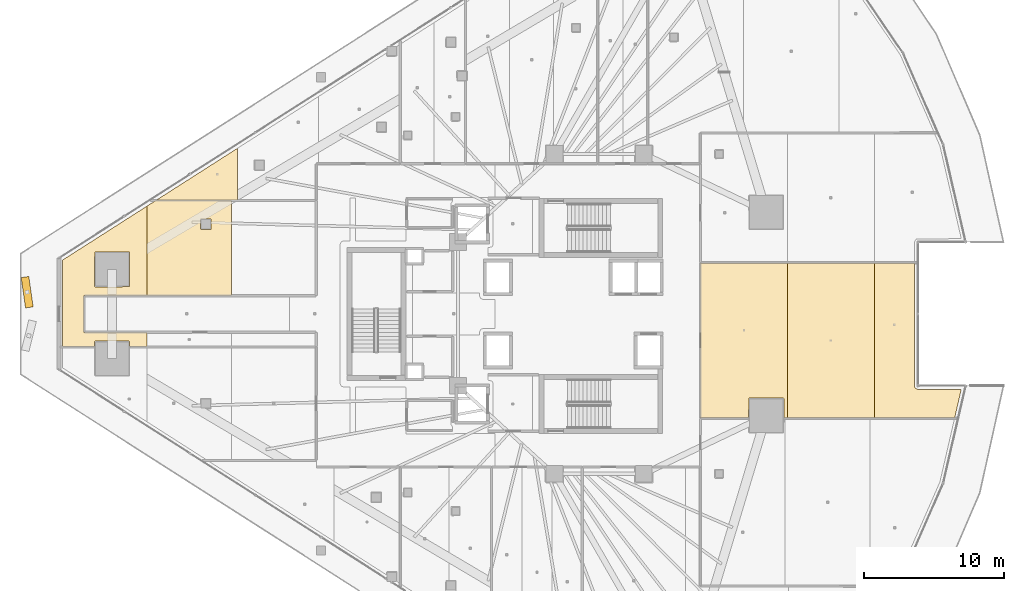
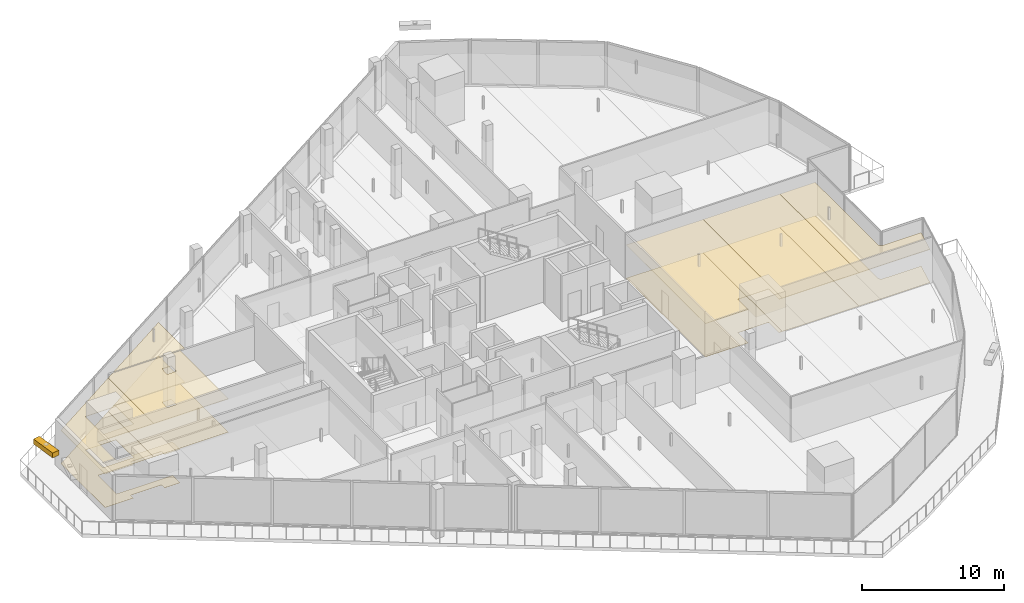
# One storey, part 44 of 46: 12 coverings, 1 shading device.
"""IFC4 building model written with IfcOpenShell, lengths in metres."""

from ifc_helpers import new_model, si_unit, direction, frame, origin, origin_2d, place, context, subcontext, project, spatial, polyline, rectangle, outline, extrude, material, layer, layer_set, type_object, element, save


model = new_model("IFC4")

# Units and contexts
model_context = context("Model", 3, precision=1e-05, world=origin(), true_north=direction((0.0, 1.0)))
body_context = subcontext(model_context, "Body", "Model", "MODEL_VIEW")
ifc_project = project(units=[si_unit("LENGTHUNIT", "METRE"), si_unit("AREAUNIT", "SQUARE_METRE"), si_unit("VOLUMEUNIT", "CUBIC_METRE"), si_unit("PLANEANGLEUNIT", "RADIAN"), si_unit("MASSUNIT", "GRAM", prefix="KILO")], contexts=[model_context])

# Site, building, storey
site_placement = place(None, origin())
site = spatial("IfcSite", under=ifc_project, at=site_placement, CompositionType="ELEMENT")
building_placement = place(site_placement, origin())
building = spatial("IfcBuilding", under=site, at=building_placement, Name="Qorvath Tower", CompositionType="ELEMENT")
storey_placement = place(building_placement, frame((0.0, 0.0, 87.0)))
storey = spatial("IfcBuildingStorey", under=building, at=storey_placement, Name="L19", CompositionType="ELEMENT", Elevation=87.0)

# Coverings
ifc_material_1 = material(Name="Acoustic mineral fibre ceiling tile", Category="gypsum")
ifc_layer_1 = layer(ifc_material_1, 0.030029296875)
ifc_layer_set_1 = layer_set([ifc_layer_1], Name="COV-CEIL")
covering_type_1 = type_object("IfcCoveringType", Name="COV-CEIL", PredefinedType="CEILING", material=ifc_layer_set_1)
covering_1_placement = place(storey_placement, frame((0.0, 0.0, 2.85009765625)))
element("IfcCovering", 1, at=covering_1_placement, inside=storey, type_object=covering_type_1, Name="L19 Suspended Acoustic Ceiling 031", PredefinedType="CEILING", context=body_context, shape_type="SweptSolid", body=[
    extrude(outline(polyline([(-6.9111328125, -7.465087890625), (-6.9111328125, 3.662841796875), (-13.136962890625, 3.662841796875), (-13.136962890625, -7.465087890625), (-9.690185546875, -7.465087890625), (-9.672607421875, -6.033935546875), (-7.230224609375, -6.016357421875), (-7.17041015625, -6.076416015625), (-7.17041015625, -7.465087890625), (-6.9111328125, -7.465087890625)])), origin(), (0.0, 0.0, 1.0), 0.030029296875),
])
covering_2_placement = place(storey_placement, frame((0.0, 0.0, 2.85009765625)))
element("IfcCovering", 2, at=covering_2_placement, inside=storey, type_object=covering_type_1, Name="L19 Suspended Acoustic Ceiling 032", PredefinedType="CEILING", context=body_context, shape_type="SweptSolid", body=[
    extrude(outline(polyline([(-0.685302734375, -7.465087890625), (-0.685302734375, 3.662841796875), (-6.9111328125, 3.662841796875), (-6.9111328125, -7.465087890625), (-0.685302734375, -7.465087890625)])), origin(), (0.0, 0.0, 1.0), 0.030029296875),
])
covering_3_placement = place(storey_placement, frame((0.0, 0.0, 2.85009765625)))
element("IfcCovering", 3, at=covering_3_placement, inside=storey, type_object=covering_type_1, Name="L19 Suspended Acoustic Ceiling 033", PredefinedType="CEILING", context=body_context, shape_type="SweptSolid", body=[
    extrude(outline(polyline([(2.271240234375, -5.336669921875), (2.183837890625, -5.189697265625), (2.17919921875, 3.662841796875), (-0.685302734375, 3.662841796875), (-0.685302734375, -7.465087890625), (5.06298828125, -7.465087890625), (5.540771484375, -5.395751953125), (2.40966796875, -5.39453125), (2.271240234375, -5.336669921875)])), origin(), (0.0, 0.0, 1.0), 0.030029296875),
])
covering_4_placement = place(storey_placement, frame((0.0, 0.0, 2.85009765625)))
element("IfcCovering", 4, at=covering_4_placement, inside=storey, type_object=covering_type_1, Name="L19 Suspended Acoustic Ceiling 042", PredefinedType="CEILING", context=body_context, shape_type="SweptSolid", body=[
    extrude(outline(polyline([(-58.83935546875, 3.8544921875), (-58.83935546875, -2.3466796875), (-56.54296875, -2.3466796875), (-56.54296875, -1.994384765625), (-56.48291015625, -1.9345703125), (-54.0830078125, -1.9345703125), (-54.02294921875, -1.994384765625), (-54.02294921875, -2.3466796875), (-52.780517578125, -2.3466796875), (-52.780517578125, -1.31298828125), (-57.302490234375, -1.31298828125), (-57.307373046875, 1.30810546875), (-52.780517578125, 1.309326171875), (-52.780517578125, 7.726806640625), (-58.83935546875, 3.8544921875)]), holes=[polyline([(-56.54296875, 1.994384765625), (-56.525390625, 4.43701171875), (-54.04052734375, 4.43701171875), (-54.04052734375, 1.9521484375), (-56.48291015625, 1.9345703125), (-56.54296875, 1.994384765625)])]), origin(), (0.0, 0.0, 1.0), 0.030029296875),
])
covering_5_placement = place(storey_placement, frame((0.0, 0.0, 2.85009765625)))
element("IfcCovering", 5, at=covering_5_placement, inside=storey, type_object=covering_type_1, Name="L19 Suspended Acoustic Ceiling 043", PredefinedType="CEILING", context=body_context, shape_type="SweptSolid", body=[
    extrude(outline(polyline([(-52.780517578125, 7.726806640625), (-52.780517578125, 1.309326171875), (-46.7216796875, 1.311279296875), (-46.7216796875, 8.12939453125), (-52.15087890625, 8.12939453125), (-52.780517578125, 7.726806640625)]), holes=[polyline([(-48.96337890625, 6.099609375), (-48.94580078125, 6.7919921875), (-48.2109375, 6.7919921875), (-48.2109375, 6.05712890625), (-48.9033203125, 6.03955078125), (-48.96337890625, 6.099609375)])]), origin(), (0.0, 0.0, 1.0), 0.030029296875),
])
covering_6_placement = place(storey_placement, frame((0.0, 0.0, 2.85009765625)))
element("IfcCovering", 6, at=covering_6_placement, inside=storey, type_object=covering_type_1, Name="L19 Suspended Acoustic Ceiling 045", PredefinedType="CEILING", context=body_context, shape_type="SweptSolid", body=[
    extrude(outline(polyline([(-46.302978515625, 8.147216796875), (-46.302978515625, 11.866943359375), (-52.122802734375, 8.147216796875), (-46.302978515625, 8.147216796875)])), origin(), (0.0, 0.0, 1.0), 0.030029296875),
])
ifc_material_2 = material(Name="Low-VOC modular carpet tile", Category="textile")
ifc_layer_2 = layer(ifc_material_2, 0.014892578125)
ifc_layer_set_2 = layer_set([ifc_layer_2], Name="COV-FLOOR-CPT")
covering_type_2 = type_object("IfcCoveringType", Name="COV-FLOOR-CPT", PredefinedType="FLOORING", material=ifc_layer_set_2)
covering_7_placement = place(storey_placement, origin())
element("IfcCovering", 7, at=covering_7_placement, inside=storey, type_object=covering_type_2, Name="L19 Floor Finish 031", PredefinedType="FLOORING", context=body_context, shape_type="SweptSolid", body=[
    extrude(outline(polyline([(-6.9111328125, -7.465087890625), (-6.9111328125, 3.662841796875), (-13.136962890625, 3.662841796875), (-13.136962890625, -7.465087890625), (-9.690185546875, -7.465087890625), (-9.672607421875, -6.033935546875), (-7.230224609375, -6.016357421875), (-7.17041015625, -6.076416015625), (-7.17041015625, -7.465087890625), (-6.9111328125, -7.465087890625)])), origin(), (0.0, 0.0, 1.0), 0.014892578125),
])
covering_8_placement = place(storey_placement, origin())
element("IfcCovering", 8, at=covering_8_placement, inside=storey, type_object=covering_type_2, Name="L19 Floor Finish 032", PredefinedType="FLOORING", context=body_context, shape_type="SweptSolid", body=[
    extrude(outline(polyline([(-0.685302734375, -7.465087890625), (-0.685302734375, 3.662841796875), (-6.9111328125, 3.662841796875), (-6.9111328125, -7.465087890625), (-0.685302734375, -7.465087890625)])), origin(), (0.0, 0.0, 1.0), 0.014892578125),
])
covering_9_placement = place(storey_placement, origin())
element("IfcCovering", 9, at=covering_9_placement, inside=storey, type_object=covering_type_2, Name="L19 Floor Finish 033", PredefinedType="FLOORING", context=body_context, shape_type="SweptSolid", body=[
    extrude(outline(polyline([(2.271240234375, -5.336669921875), (2.183837890625, -5.189697265625), (2.17919921875, 3.662841796875), (-0.685302734375, 3.662841796875), (-0.685302734375, -7.465087890625), (5.06298828125, -7.465087890625), (5.540771484375, -5.395751953125), (2.40966796875, -5.39453125), (2.271240234375, -5.336669921875)])), origin(), (0.0, 0.0, 1.0), 0.014892578125),
])
covering_10_placement = place(storey_placement, origin())
element("IfcCovering", 10, at=covering_10_placement, inside=storey, type_object=covering_type_2, Name="L19 Floor Finish 042", PredefinedType="FLOORING", context=body_context, shape_type="SweptSolid", body=[
    extrude(outline(polyline([(-58.83935546875, 3.8544921875), (-58.83935546875, -2.3466796875), (-56.54296875, -2.3466796875), (-56.54296875, -1.994384765625), (-56.48291015625, -1.9345703125), (-54.0830078125, -1.9345703125), (-54.02294921875, -1.994384765625), (-54.02294921875, -2.3466796875), (-52.780517578125, -2.3466796875), (-52.780517578125, -1.31298828125), (-57.302490234375, -1.31298828125), (-57.307373046875, 1.30810546875), (-52.780517578125, 1.309326171875), (-52.780517578125, 7.726806640625), (-58.83935546875, 3.8544921875)]), holes=[polyline([(-56.54296875, 1.994384765625), (-56.525390625, 4.43701171875), (-54.04052734375, 4.43701171875), (-54.04052734375, 1.9521484375), (-56.48291015625, 1.9345703125), (-56.54296875, 1.994384765625)])]), origin(), (0.0, 0.0, 1.0), 0.014892578125),
])
covering_11_placement = place(storey_placement, origin())
element("IfcCovering", 11, at=covering_11_placement, inside=storey, type_object=covering_type_2, Name="L19 Floor Finish 043", PredefinedType="FLOORING", context=body_context, shape_type="SweptSolid", body=[
    extrude(outline(polyline([(-52.780517578125, 7.726806640625), (-52.780517578125, 1.309326171875), (-46.7216796875, 1.311279296875), (-46.7216796875, 8.12939453125), (-52.15087890625, 8.12939453125), (-52.780517578125, 7.726806640625)]), holes=[polyline([(-48.96337890625, 6.099609375), (-48.94580078125, 6.7919921875), (-48.2109375, 6.7919921875), (-48.2109375, 6.05712890625), (-48.9033203125, 6.03955078125), (-48.96337890625, 6.099609375)])]), origin(), (0.0, 0.0, 1.0), 0.014892578125),
])
covering_12_placement = place(storey_placement, origin())
element("IfcCovering", 12, at=covering_12_placement, inside=storey, type_object=covering_type_2, Name="L19 Floor Finish 045", PredefinedType="FLOORING", context=body_context, shape_type="SweptSolid", body=[
    extrude(outline(polyline([(-46.302978515625, 8.147216796875), (-46.302978515625, 11.866943359375), (-52.122802734375, 8.147216796875), (-46.302978515625, 8.147216796875)])), origin(), (0.0, 0.0, 1.0), 0.014892578125),
])

# Shading device
ifc_material_3 = material(Name="Anodised bronze-champagne aluminium", Category="aluminium")
shading_device_type = type_object("IfcShadingDeviceType", Name="SD-LOUVRE", PredefinedType="JALOUSIE", material=ifc_material_3)
shading_device_placement = place(storey_placement, frame((-61.36865234375, 1.557861328125, 3.5), z_axis=(0.0, 0.0, 1.0), x_axis=(0.142000100276, -0.989866643302, 0.0)))
element("IfcShadingDevice", 13, at=shading_device_placement, inside=storey, type_object=shading_device_type, Name="Sinusoidal Wave Louvre Blade L19-01", PredefinedType="NOTDEFINED", context=body_context, shape_type="SweptSolid", body=[
    extrude(rectangle(XDim=2.199951171875, YDim=0.550048828125, at=origin_2d()), origin(), (0.0, 0.0, 1.0), 0.419921875),
])

save(model, "model.ifc")
